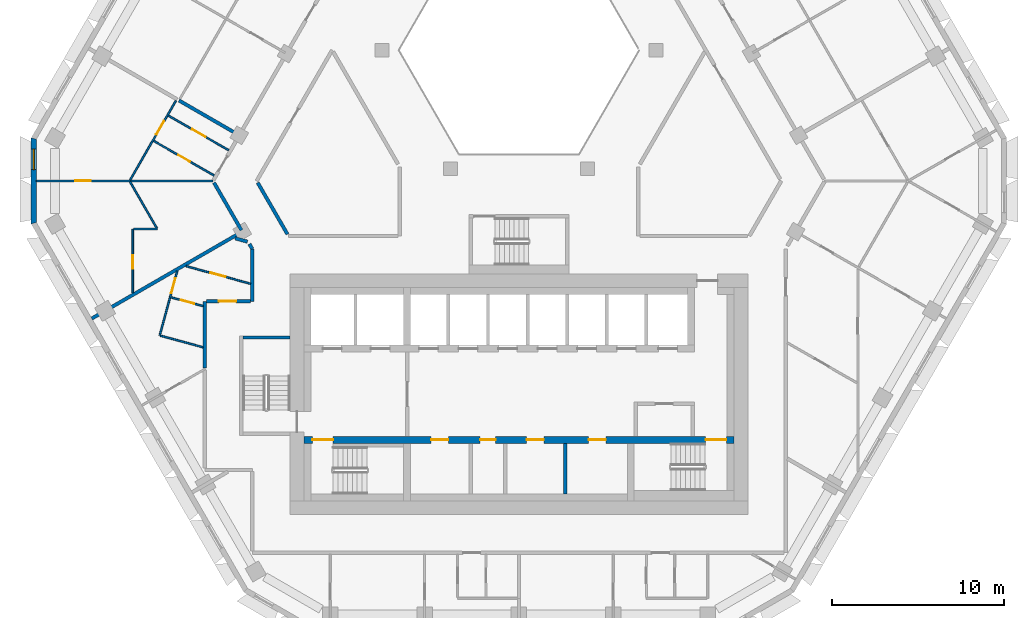
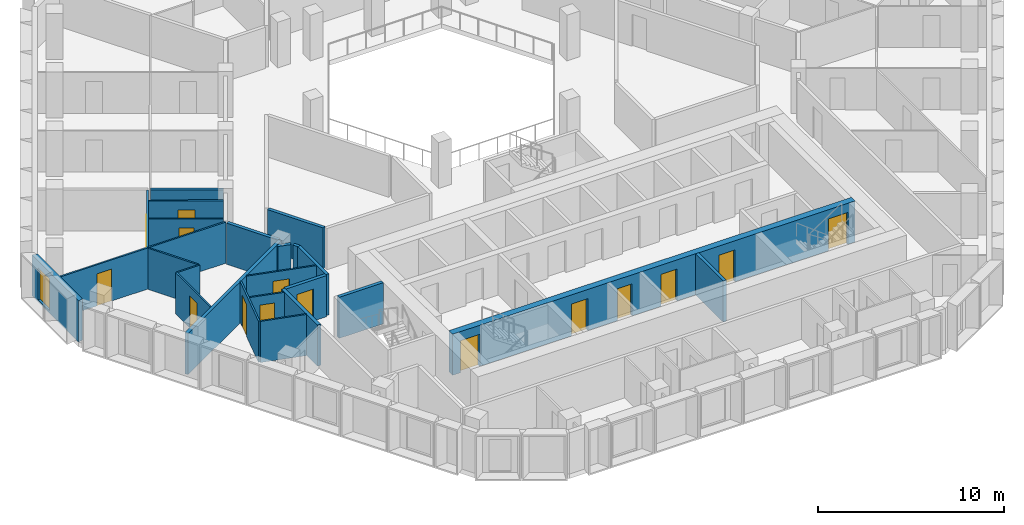
# One storey, part 4 of 15: 24 walls, 15 doors, 1 window, 16 openings.
"""IFC4 building model written with IfcOpenShell, lengths in metres."""

from ifc_helpers import new_model, si_unit, direction, frame, frame_2d, origin, place, context, subcontext, project, spatial, polyline, rectangle, outline, extrude, material, layer, layer_set, type_object, element, fill, save


model = new_model("IFC4")

# Units and contexts
model_context = context("Model", 3, precision=1e-05, world=origin(), true_north=direction((0.0, 1.0)))
body_context = subcontext(model_context, "Body", "Model", "MODEL_VIEW")
ifc_project = project(units=[si_unit("LENGTHUNIT", "METRE"), si_unit("AREAUNIT", "SQUARE_METRE"), si_unit("VOLUMEUNIT", "CUBIC_METRE"), si_unit("PLANEANGLEUNIT", "RADIAN"), si_unit("MASSUNIT", "GRAM", prefix="KILO")], contexts=[model_context])

# Site, building, storey
site_placement = place(None, origin())
site = spatial("IfcSite", under=ifc_project, at=site_placement, CompositionType="ELEMENT")
building_placement = place(site_placement, origin())
building = spatial("IfcBuilding", under=site, at=building_placement, Name="Beryl Residences", CompositionType="ELEMENT")
storey_placement = place(building_placement, frame((0.0, 0.0, 129.60009765625)))
storey = spatial("IfcBuildingStorey", under=building, at=storey_placement, Name="L39", CompositionType="ELEMENT", Elevation=129.60009765625)

# Wall, opening, window
ifc_material_1 = material(Name="Composite metal panel with mineral wool insulation")
ifc_layer_1 = layer(ifc_material_1, 0.300048828125)
ifc_layer_set_1 = layer_set([ifc_layer_1], Name="ES1 pale metal composite panel wall 300 mm")
wall_type_1 = type_object("IfcWallType", Name="ES1 pale metal composite panel wall 300 mm", PredefinedType="SOLIDWALL", material=ifc_layer_set_1)
wall_1_placement = place(storey_placement, frame((-28.197998046875, 2.89990234375, 0.0), z_axis=(0.0, 0.0, 1.0), x_axis=(0.0, -1.0, 0.0)))
wall_1 = element("IfcWall", 1, at=wall_1_placement, inside=storey, type_object=wall_type_1, Name="ES1 external wall L39 NW-SW", PredefinedType="SOLIDWALL", context=body_context, shape_type="SweptSolid", body=[
    extrude(outline(polyline([(0.0, -0.14990234375), (5.0, -0.14990234375), (4.919677734375, 0.14990234375), (0.080322265625, 0.14990234375), (0.0, -0.14990234375)])), origin(), (0.0, 0.0, 1.0), 2.699951171875),
])
opening_1_placement = place(wall_1_placement, frame((0.64990234375, 0.0, 0.14990234375)))
opening_1 = element("IfcOpeningElement", 2, at=opening_1_placement, cuts=wall_1, Name="Opening W2", PredefinedType="OPENING", context=body_context, shape_type="SweptSolid", body=[
    extrude(rectangle(XDim=1.199951171875, YDim=2.10009765625, at=frame_2d((0.60009765625, 1.050048828125))), frame((0.0, 0.159912109375, 0.0), z_axis=(0.0, -1.0, 0.0), x_axis=(1.0, 0.0, 0.0)), (0.0, 0.0, 1.0), 0.320068359375),
])
ifc_material_2 = material(Name="Aluminium and clear glass", Category="aluminium")
window_type = type_object("IfcWindowType", Name="W2 chamfer window 1200 x 2100 mm", PartitioningType="SINGLE_PANEL", PredefinedType="WINDOW", material=ifc_material_2)
window_placement = place(opening_1_placement, origin())
window = element("IfcWindow", 3, at=window_placement, inside=storey, type_object=window_type, Name="W2 window L39 NW-SW 1", OverallHeight=2.10009765625, OverallWidth=1.199951171875, PartitioningType="SINGLE_PANEL", PredefinedType="WINDOW", context=body_context, shape_type="SweptSolid", body=[
    extrude(rectangle(XDim=1.199951171875, YDim=2.10009765625, at=frame_2d((0.60009765625, 1.050048828125))), frame((0.0, 0.030029296875, 0.0), z_axis=(0.0, -1.0, 0.0), x_axis=(1.0, 0.0, 0.0)), (0.0, 0.0, 1.0), 0.06005859375),
])
fill(opening_1, window)

# Wall
ifc_material_3 = material(Name="Gypsum board partition on steel studs", Category="steel")
ifc_layer_2 = layer(ifc_material_3, 0.10009765625)
ifc_layer_set_2 = layer_set([ifc_layer_2], Name="PT1 partition 100 mm gypsum board on steel studs")
wall_type_2 = type_object("IfcWallType", Name="PT1 partition 100 mm gypsum board on steel studs", PredefinedType="PARTITIONING", material=ifc_layer_set_2)
wall_2_placement = place(storey_placement, frame((-22.60302734375, 0.34912109375, 0.0), z_axis=(0.0, 0.0, 1.0), x_axis=(0.499930403552, -0.866065581584, 0.0)))
element("IfcWall", 4, at=wall_2_placement, inside=storey, type_object=wall_type_2, Name="Wall PT1 L39 001", PredefinedType="PARTITIONING", context=body_context, shape_type="SweptSolid", body=[
    extrude(rectangle(XDim=3.11669921875, YDim=0.10009765625, at=frame_2d((1.558349609375, 0.0))), origin(), (0.0, 0.0, 1.0), 2.699951171875),
])

# Wall, opening, door
wall_3_placement = place(storey_placement, frame((-19.35107421875, -4.552978515625, 0.0), z_axis=(0.0, 0.0, 1.0), x_axis=(0.964766719363, -0.263106779102, 0.0)))
wall_3 = element("IfcWall", 5, at=wall_3_placement, inside=storey, type_object=wall_type_2, Name="Wall PT1 L39 009", PredefinedType="PARTITIONING", context=body_context, shape_type="SweptSolid", body=[
    extrude(rectangle(XDim=3.887939453125, YDim=0.10009765625, at=frame_2d((1.94384765625, 0.0))), origin(), (0.0, 0.0, 1.0), 2.699951171875),
])
opening_2_placement = place(wall_3_placement, frame((1.47509765625, 0.0, 0.0)))
opening_2 = element("IfcOpeningElement", 6, at=opening_2_placement, cuts=wall_3, Name="Opening D1250", PredefinedType="OPENING", context=body_context, shape_type="SweptSolid", body=[
    extrude(rectangle(XDim=0.89990234375, YDim=2.10009765625, at=frame_2d((0.449951171875, 1.050048828125))), frame((0.0, 0.06005859375, 0.0), z_axis=(0.0, -1.0, 0.0), x_axis=(1.0, 0.0, 0.0)), (0.0, 0.0, 1.0), 0.1201171875),
])
ifc_material_4 = material(Name="Timber door leaf", Category="wood")
door_type_1 = type_object("IfcDoorType", Name="D2 room door 900 x 2100 mm", OperationType="SINGLE_SWING_LEFT", PredefinedType="DOOR", material=ifc_material_4)
door_1_placement = place(opening_2_placement, origin())
door_1 = element("IfcDoor", 7, at=door_1_placement, inside=storey, type_object=door_type_1, Name="Door D1250 L39 001", OperationType="SINGLE_SWING_RIGHT", OverallHeight=2.10009765625, OverallWidth=0.89990234375, PredefinedType="DOOR", context=body_context, shape_type="SweptSolid", body=[
    extrude(rectangle(XDim=0.89990234375, YDim=2.10009765625, at=frame_2d((0.449951171875, 1.050048828125))), frame((0.0, 0.02490234375, 0.0), z_axis=(0.0, -1.0, 0.0), x_axis=(1.0, 0.0, 0.0)), (0.0, 0.0, 1.0), 0.050048828125),
])
fill(opening_2, door_1)

wall_4_placement = place(storey_placement, frame((-20.221923828125, -6.367919921875, 0.0), z_axis=(0.0, 0.0, 1.0), x_axis=(0.964827681618, -0.262883139024, 0.0)))
wall_4 = element("IfcWall", 8, at=wall_4_placement, inside=storey, type_object=wall_type_2, Name="Wall PT1 L39 010", PredefinedType="PARTITIONING", context=body_context, shape_type="SweptSolid", body=[
    extrude(rectangle(XDim=1.93994140625, YDim=0.10009765625, at=frame_2d((0.969970703125, 0.0))), origin(), (0.0, 0.0, 1.0), 2.699951171875),
])
opening_3_placement = place(wall_4_placement, frame((0.596923828125, 0.0, 0.0)))
opening_3 = element("IfcOpeningElement", 9, at=opening_3_placement, cuts=wall_4, Name="Opening D1251", PredefinedType="OPENING", context=body_context, shape_type="SweptSolid", body=[
    extrude(rectangle(XDim=0.800048828125, YDim=2.10009765625, at=frame_2d((0.39990234375, 1.050048828125))), frame((0.0, 0.06005859375, 0.0), z_axis=(0.0, -1.0, 0.0), x_axis=(1.0, 0.0, 0.0)), (0.0, 0.0, 1.0), 0.1201171875),
])
ifc_material_5 = material(Name="Timber door leaf", Category="wood")
door_type_2 = type_object("IfcDoorType", Name="D3 bathroom door 800 x 2100 mm", OperationType="SINGLE_SWING_LEFT", PredefinedType="DOOR", material=ifc_material_5)
door_2_placement = place(opening_3_placement, origin())
door_2 = element("IfcDoor", 10, at=door_2_placement, inside=storey, type_object=door_type_2, Name="Door D1251 L39 001", OperationType="SINGLE_SWING_LEFT", OverallHeight=2.10009765625, OverallWidth=0.800048828125, PredefinedType="DOOR", context=body_context, shape_type="SweptSolid", body=[
    extrude(rectangle(XDim=0.800048828125, YDim=2.10009765625, at=frame_2d((0.39990234375, 1.050048828125))), frame((0.0, 0.02490234375, 0.0), z_axis=(0.0, -1.0, 0.0), x_axis=(1.0, 0.0, 0.0)), (0.0, 0.0, 1.0), 0.050048828125),
])
fill(opening_3, door_2)

# Wall
wall_5_placement = place(storey_placement, frame((-20.830078125, -8.596923828125, 0.0), z_axis=(0.0, 0.0, 1.0), x_axis=(0.964796691053, -0.262996853468, 0.0)))
element("IfcWall", 11, at=wall_5_placement, inside=storey, type_object=wall_type_2, Name="Wall PT1 L39 011", PredefinedType="PARTITIONING", context=body_context, shape_type="SweptSolid", body=[
    extrude(rectangle(XDim=2.570556640625, YDim=0.10009765625, at=frame_2d((1.28515625, 0.0))), origin(), (0.0, 0.0, 1.0), 2.699951171875),
])

# Wall, opening, door
wall_6_placement = place(storey_placement, frame((-20.381103515625, 4.197998046875, 0.0), z_axis=(0.0, 0.0, 1.0), x_axis=(0.867459321792, -0.497508115549, 0.0)))
wall_6 = element("IfcWall", 12, at=wall_6_placement, inside=storey, type_object=wall_type_2, Name="Wall PT1 L39 012", PredefinedType="PARTITIONING", context=body_context, shape_type="SweptSolid", body=[
    extrude(rectangle(XDim=4.050048828125, YDim=0.10009765625, at=frame_2d((2.02490234375, 0.0))), origin(), (0.0, 0.0, 1.0), 2.699951171875),
])
opening_4_placement = place(wall_6_placement, frame((1.60009765625, 0.0, 0.0)))
opening_4 = element("IfcOpeningElement", 13, at=opening_4_placement, cuts=wall_6, Name="Opening D1244", PredefinedType="OPENING", context=body_context, shape_type="SweptSolid", body=[
    extrude(rectangle(XDim=0.89990234375, YDim=2.10009765625, at=frame_2d((0.449951171875, 1.050048828125))), frame((0.0, 0.06005859375, 0.0), z_axis=(0.0, -1.0, 0.0), x_axis=(1.0, 0.0, 0.0)), (0.0, 0.0, 1.0), 0.1201171875),
])
door_3_placement = place(opening_4_placement, origin())
door_3 = element("IfcDoor", 14, at=door_3_placement, inside=storey, type_object=door_type_1, Name="Door D1244 L39 001", OperationType="SINGLE_SWING_RIGHT", OverallHeight=2.10009765625, OverallWidth=0.89990234375, PredefinedType="DOOR", context=body_context, shape_type="SweptSolid", body=[
    extrude(rectangle(XDim=0.89990234375, YDim=2.10009765625, at=frame_2d((0.449951171875, 1.050048828125))), frame((0.0, 0.02490234375, 0.0), z_axis=(0.0, -1.0, 0.0), x_axis=(1.0, 0.0, 0.0)), (0.0, 0.0, 1.0), 0.050048828125),
])
fill(opening_4, door_3)

wall_7_placement = place(storey_placement, frame((-21.23095703125, 2.72607421875, 0.0), z_axis=(0.0, 0.0, 1.0), x_axis=(0.867314299312, -0.497760892607, 0.0)))
wall_7 = element("IfcWall", 15, at=wall_7_placement, inside=storey, type_object=wall_type_2, Name="Wall PT1 L39 013", PredefinedType="PARTITIONING", context=body_context, shape_type="SweptSolid", body=[
    extrude(rectangle(XDim=4.05029296875, YDim=0.10009765625, at=frame_2d((2.025146484375, 0.0))), origin(), (0.0, 0.0, 1.0), 2.699951171875),
])
opening_5_placement = place(wall_7_placement, frame((1.64990234375, 0.0, 0.0)))
opening_5 = element("IfcOpeningElement", 16, at=opening_5_placement, cuts=wall_7, Name="Opening D1245", PredefinedType="OPENING", context=body_context, shape_type="SweptSolid", body=[
    extrude(rectangle(XDim=0.800048828125, YDim=2.10009765625, at=frame_2d((0.39990234375, 1.050048828125))), frame((0.0, 0.06005859375, 0.0), z_axis=(0.0, -1.0, 0.0), x_axis=(1.0, 0.0, 0.0)), (0.0, 0.0, 1.0), 0.1201171875),
])
door_4_placement = place(opening_5_placement, origin())
door_4 = element("IfcDoor", 17, at=door_4_placement, inside=storey, type_object=door_type_2, Name="Door D1245 L39 001", OperationType="SINGLE_SWING_LEFT", OverallHeight=2.10009765625, OverallWidth=0.800048828125, PredefinedType="DOOR", context=body_context, shape_type="SweptSolid", body=[
    extrude(rectangle(XDim=0.800048828125, YDim=2.10009765625, at=frame_2d((0.39990234375, 1.050048828125))), frame((0.0, 0.02490234375, 0.0), z_axis=(0.0, -1.0, 0.0), x_axis=(1.0, 0.0, 0.0)), (0.0, 0.0, 1.0), 0.050048828125),
])
fill(opening_5, door_4)

# Wall
wall_8_placement = place(storey_placement, frame((-22.39990234375, -2.39990234375, 0.0), z_axis=(0.0, 0.0, 1.0), x_axis=(1.0, 0.0, 0.0)))
element("IfcWall", 18, at=wall_8_placement, inside=storey, type_object=wall_type_2, Name="Wall PT1 L39 022", PredefinedType="PARTITIONING", context=body_context, shape_type="SweptSolid", body=[
    extrude(rectangle(XDim=1.3837890625, YDim=0.10009765625, at=frame_2d((0.69189453125, 0.0))), origin(), (0.0, 0.0, 1.0), 2.699951171875),
])

# Wall, opening, door
wall_9_placement = place(storey_placement, frame((-28.048095703125, 0.39892578125, 0.0), z_axis=(0.0, 0.0, 1.0), x_axis=(1.0, 0.0, 0.0)))
wall_9 = element("IfcWall", 19, at=wall_9_placement, inside=storey, type_object=wall_type_2, Name="Wall PT1 L39 023", PredefinedType="PARTITIONING", context=body_context, shape_type="SweptSolid", body=[
    extrude(rectangle(XDim=10.26611328125, YDim=0.10009765625, at=frame_2d((5.133056640625, 0.0))), origin(), (0.0, 0.0, 1.0), 2.699951171875),
])
opening_6_placement = place(wall_9_placement, frame((2.258056640625, 0.0, 0.0)))
opening_6 = element("IfcOpeningElement", 20, at=opening_6_placement, cuts=wall_9, Name="Opening D1247", PredefinedType="OPENING", context=body_context, shape_type="SweptSolid", body=[
    extrude(rectangle(XDim=0.89990234375, YDim=2.10009765625, at=frame_2d((0.449951171875, 1.050048828125))), frame((0.0, 0.06005859375, 0.0), z_axis=(0.0, -1.0, 0.0), x_axis=(1.0, 0.0, 0.0)), (0.0, 0.0, 1.0), 0.1201171875),
])
door_5_placement = place(opening_6_placement, origin())
door_5 = element("IfcDoor", 21, at=door_5_placement, inside=storey, type_object=door_type_1, Name="Door D1247 L39 001", OperationType="SINGLE_SWING_LEFT", OverallHeight=2.10009765625, OverallWidth=0.89990234375, PredefinedType="DOOR", context=body_context, shape_type="SweptSolid", body=[
    extrude(rectangle(XDim=0.89990234375, YDim=2.10009765625, at=frame_2d((0.449951171875, 1.050048828125))), frame((0.0, 0.02490234375, 0.0), z_axis=(0.0, -1.0, 0.0), x_axis=(1.0, 0.0, 0.0)), (0.0, 0.0, 1.0), 0.050048828125),
])
fill(opening_6, door_5)

wall_10_placement = place(storey_placement, frame((-22.60302734375, 0.448974609375, 0.0), z_axis=(0.0, 0.0, 1.0), x_axis=(0.500022588228, 0.866012362072, 0.0)))
wall_10 = element("IfcWall", 22, at=wall_10_placement, inside=storey, type_object=wall_type_2, Name="Wall PT1 L39 032", PredefinedType="PARTITIONING", context=body_context, shape_type="SweptSolid", body=[
    extrude(rectangle(XDim=5.327880859375, YDim=0.10009765625, at=frame_2d((2.6640625, 0.0))), origin(), (0.0, 0.0, 1.0), 2.699951171875),
])
opening_7_placement = place(wall_10_placement, frame((3.05810546875, 0.0, 0.0)))
opening_7 = element("IfcOpeningElement", 23, at=opening_7_placement, cuts=wall_10, Name="Opening D1246", PredefinedType="OPENING", context=body_context, shape_type="SweptSolid", body=[
    extrude(rectangle(XDim=0.89990234375, YDim=2.10009765625, at=frame_2d((0.449951171875, 1.050048828125))), frame((0.0, 0.06005859375, 0.0), z_axis=(0.0, -1.0, 0.0), x_axis=(1.0, 0.0, 0.0)), (0.0, 0.0, 1.0), 0.1201171875),
])
door_6_placement = place(opening_7_placement, origin())
door_6 = element("IfcDoor", 24, at=door_6_placement, inside=storey, type_object=door_type_1, Name="Door D1246 L39 001", OperationType="SINGLE_SWING_RIGHT", OverallHeight=2.10009765625, OverallWidth=0.89990234375, PredefinedType="DOOR", context=body_context, shape_type="SweptSolid", body=[
    extrude(rectangle(XDim=0.89990234375, YDim=2.10009765625, at=frame_2d((0.449951171875, 1.050048828125))), frame((0.0, 0.02490234375, 0.0), z_axis=(0.0, -1.0, 0.0), x_axis=(1.0, 0.0, 0.0)), (0.0, 0.0, 1.0), 0.050048828125),
])
fill(opening_7, door_6)

wall_11_placement = place(storey_placement, frame((-20.8779296875, -8.5830078125, 0.0), z_axis=(0.0, 0.0, 1.0), x_axis=(0.263144077993, 0.964756546605, 0.0)))
wall_11 = element("IfcWall", 25, at=wall_11_placement, inside=storey, type_object=wall_type_2, Name="Wall PT1 L39 035", PredefinedType="PARTITIONING", context=body_context, shape_type="SweptSolid", body=[
    extrude(rectangle(XDim=3.87255859375, YDim=0.10009765625, at=frame_2d((1.936279296875, 0.0))), origin(), (0.0, 0.0, 1.0), 2.699951171875),
])
opening_8_placement = place(wall_11_placement, frame((2.552001953125, 0.0, 0.0)))
opening_8 = element("IfcOpeningElement", 26, at=opening_8_placement, cuts=wall_11, Name="Opening D1252", PredefinedType="OPENING", context=body_context, shape_type="SweptSolid", body=[
    extrude(rectangle(XDim=0.89990234375, YDim=2.10009765625, at=frame_2d((0.449951171875, 1.050048828125))), frame((0.0, 0.06005859375, 0.0), z_axis=(0.0, -1.0, 0.0), x_axis=(1.0, 0.0, 0.0)), (0.0, 0.0, 1.0), 0.1201171875),
])
door_7_placement = place(opening_8_placement, origin())
door_7 = element("IfcDoor", 27, at=door_7_placement, inside=storey, type_object=door_type_1, Name="Door D1252 L39 001", OperationType="SINGLE_SWING_RIGHT", OverallHeight=2.10009765625, OverallWidth=0.89990234375, PredefinedType="DOOR", context=body_context, shape_type="SweptSolid", body=[
    extrude(rectangle(XDim=0.89990234375, YDim=2.10009765625, at=frame_2d((0.449951171875, 1.050048828125))), frame((0.0, 0.02490234375, 0.0), z_axis=(0.0, -1.0, 0.0), x_axis=(1.0, 0.0, 0.0)), (0.0, 0.0, 1.0), 0.050048828125),
])
fill(opening_8, door_7)

wall_12_placement = place(storey_placement, frame((-22.449951171875, -6.112060546875, 0.0), z_axis=(0.0, 0.0, 1.0), x_axis=(0.0, 1.0, 0.0)))
wall_12 = element("IfcWall", 28, at=wall_12_placement, inside=storey, type_object=wall_type_2, Name="Wall PT1 L39 048", PredefinedType="PARTITIONING", context=body_context, shape_type="SweptSolid", body=[
    extrude(rectangle(XDim=3.712158203125, YDim=0.10009765625, at=frame_2d((1.85595703125, 0.0))), origin(), (0.0, 0.0, 1.0), 2.699951171875),
])
opening_9_placement = place(wall_12_placement, frame((1.39794921875, 0.0, 0.0)))
opening_9 = element("IfcOpeningElement", 29, at=opening_9_placement, cuts=wall_12, Name="Opening D1248", PredefinedType="OPENING", context=body_context, shape_type="SweptSolid", body=[
    extrude(rectangle(XDim=0.800048828125, YDim=2.10009765625, at=frame_2d((0.39990234375, 1.050048828125))), frame((0.0, 0.06005859375, 0.0), z_axis=(0.0, -1.0, 0.0), x_axis=(1.0, 0.0, 0.0)), (0.0, 0.0, 1.0), 0.1201171875),
])
door_8_placement = place(opening_9_placement, origin())
door_8 = element("IfcDoor", 30, at=door_8_placement, inside=storey, type_object=door_type_2, Name="Door D1248 L39 001", OperationType="SINGLE_SWING_RIGHT", OverallHeight=2.10009765625, OverallWidth=0.800048828125, PredefinedType="DOOR", context=body_context, shape_type="SweptSolid", body=[
    extrude(rectangle(XDim=0.800048828125, YDim=2.10009765625, at=frame_2d((0.39990234375, 1.050048828125))), frame((0.0, 0.02490234375, 0.0), z_axis=(0.0, -1.0, 0.0), x_axis=(1.0, 0.0, 0.0)), (0.0, 0.0, 1.0), 0.050048828125),
])
fill(opening_9, door_8)

# Walls
ifc_material_6 = material(Name="Acoustic double stud gypsum board wall")
ifc_layer_3 = layer(ifc_material_6, 0.199951171875)
ifc_layer_set_3 = layer_set([ifc_layer_3], Name="PT3 party wall 200 mm acoustic double stud")
wall_type_3 = type_object("IfcWallType", Name="PT3 party wall 200 mm acoustic double stud", PredefinedType="PARTITIONING", material=ifc_layer_set_3)
wall_13_placement = place(storey_placement, frame((-16.492919921875, -2.93798828125, 0.0), z_axis=(0.0, 0.0, 1.0), x_axis=(0.964816958114, -0.262922493019, 0.0)))
element("IfcWall", 31, at=wall_13_placement, inside=storey, type_object=wall_type_3, Name="Wall PT3 L39 004", PredefinedType="PARTITIONING", context=body_context, shape_type="SweptSolid", body=[
    extrude(rectangle(XDim=0.741943359375, YDim=0.199951171875, at=frame_2d((0.37109375, 0.0))), origin(), (0.0, 0.0, 1.0), 2.699951171875),
])
wall_14_placement = place(storey_placement, frame((-19.756103515625, 5.072998046875, 0.0), z_axis=(0.0, 0.0, 1.0), x_axis=(0.866014535457, -0.500018824023, 0.0)))
element("IfcWall", 32, at=wall_14_placement, inside=storey, type_object=wall_type_3, Name="Wall PT3 L39 006", PredefinedType="PARTITIONING", context=body_context, shape_type="SweptSolid", body=[
    extrude(rectangle(XDim=3.945556640625, YDim=0.199951171875, at=frame_2d((1.97265625, 0.0))), origin(), (0.0, 0.0, 1.0), 2.699951171875),
])
wall_15_placement = place(storey_placement, frame((-24.825927734375, -7.59912109375, 0.0), z_axis=(0.0, 0.0, 1.0), x_axis=(0.86599621094, 0.500050560081, 0.0)))
element("IfcWall", 33, at=wall_15_placement, inside=storey, type_object=wall_type_3, Name="Wall PT3 L39 013", PredefinedType="PARTITIONING", context=body_context, shape_type="SweptSolid", body=[
    extrude(rectangle(XDim=10.0693359375, YDim=0.199951171875, at=frame_2d((5.03466796875, 0.0))), origin(), (0.0, 0.0, 1.0), 2.699951171875),
])
ifc_material_7 = material(Name="Double stud gypsum board wall")
ifc_layer_4 = layer(ifc_material_7, 0.199951171875)
ifc_layer_set_4 = layer_set([ifc_layer_4], Name="PT4 corridor wall 200 mm double stud")
wall_type_4 = type_object("IfcWallType", Name="PT4 corridor wall 200 mm double stud", PredefinedType="PARTITIONING", material=ifc_layer_set_4)
wall_16_placement = place(storey_placement, frame((-15.18408203125, 0.299072265625, 0.0), z_axis=(0.0, 0.0, 1.0), x_axis=(0.500149577091, -0.865939028186, 0.0)))
element("IfcWall", 34, at=wall_16_placement, inside=storey, type_object=wall_type_4, Name="Wall PT4 L39 002", PredefinedType="PARTITIONING", context=body_context, shape_type="SweptSolid", body=[
    extrude(rectangle(XDim=3.46337890625, YDim=0.199951171875, at=frame_2d((1.731689453125, 0.0))), origin(), (0.0, 0.0, 1.0), 2.699951171875),
])
wall_17_placement = place(storey_placement, frame((-17.72412109375, 0.299072265625, 0.0), z_axis=(0.0, 0.0, 1.0), x_axis=(0.499910220442, -0.866077231832, 0.0)))
element("IfcWall", 35, at=wall_17_placement, inside=storey, type_object=wall_type_4, Name="Wall PT4 L39 003", PredefinedType="PARTITIONING", context=body_context, shape_type="SweptSolid", body=[
    extrude(rectangle(XDim=3.18896484375, YDim=0.199951171875, at=frame_2d((1.594482421875, 0.0))), origin(), (0.0, 0.0, 1.0), 2.699951171875),
])
wall_18_placement = place(storey_placement, frame((-15.6650390625, -3.26708984375, 0.0), z_axis=(0.0, 0.0, 1.0), x_axis=(0.499957196903, -0.866050114754, 0.0)))
element("IfcWall", 36, at=wall_18_placement, inside=storey, type_object=wall_type_4, Name="Wall PT4 L39 004", PredefinedType="PARTITIONING", context=body_context, shape_type="SweptSolid", body=[
    extrude(rectangle(XDim=0.330078125, YDim=0.199951171875, at=frame_2d((0.1650390625, 0.0))), origin(), (0.0, 0.0, 1.0), 2.699951171875),
])

# Wall, opening, door
wall_19_placement = place(storey_placement, frame((-18.14990234375, -6.60009765625, 0.0), z_axis=(0.0, 0.0, 1.0), x_axis=(1.0, 0.0, 0.0)))
wall_19 = element("IfcWall", 37, at=wall_19_placement, inside=storey, type_object=wall_type_4, Name="Wall PT4 L39 010", PredefinedType="PARTITIONING", context=body_context, shape_type="SweptSolid", body=[
    extrude(rectangle(XDim=2.5498046875, YDim=0.199951171875, at=frame_2d((1.27490234375, 0.0))), origin(), (0.0, 0.0, 1.0), 2.699951171875),
])
opening_10_placement = place(wall_19_placement, frame((0.715087890625, 0.0, 0.0)))
opening_10 = element("IfcOpeningElement", 38, at=opening_10_placement, cuts=wall_19, Name="Opening D1249", PredefinedType="OPENING", context=body_context, shape_type="SweptSolid", body=[
    extrude(rectangle(XDim=1.0, YDim=2.10009765625, at=frame_2d((0.5, 1.050048828125))), frame((0.0, 0.10986328125, 0.0), z_axis=(0.0, -1.0, 0.0), x_axis=(1.0, 0.0, 0.0)), (0.0, 0.0, 1.0), 0.219970703125),
])
ifc_material_8 = material(Name="Timber door leaf", Category="wood")
door_type_3 = type_object("IfcDoorType", Name="D1 flat entrance door 1000 x 2100 mm", OperationType="SINGLE_SWING_LEFT", PredefinedType="DOOR", material=ifc_material_8)
door_9_placement = place(opening_10_placement, origin())
door_9 = element("IfcDoor", 39, at=door_9_placement, inside=storey, type_object=door_type_3, Name="Door D1249 L39 001", OperationType="SINGLE_SWING_LEFT", OverallHeight=2.10009765625, OverallWidth=1.0, PredefinedType="DOOR", context=body_context, shape_type="SweptSolid", body=[
    extrude(rectangle(XDim=1.0, YDim=2.10009765625, at=frame_2d((0.5, 1.050048828125))), frame((0.0, 0.02490234375, 0.0), z_axis=(0.0, -1.0, 0.0), x_axis=(1.0, 0.0, 0.0)), (0.0, 0.0, 1.0), 0.050048828125),
])
fill(opening_10, door_9)

# Walls
wall_20_placement = place(storey_placement, frame((-15.5, -6.60009765625, 0.0), z_axis=(0.0, 0.0, 1.0), x_axis=(0.0, 1.0, 0.0)))
element("IfcWall", 40, at=wall_20_placement, inside=storey, type_object=wall_type_4, Name="Wall PT4 L39 027", PredefinedType="PARTITIONING", context=body_context, shape_type="SweptSolid", body=[
    extrude(rectangle(XDim=3.047119140625, YDim=0.199951171875, at=frame_2d((1.5234375, 0.0))), origin(), (0.0, 0.0, 1.0), 2.699951171875),
])
wall_21_placement = place(storey_placement, frame((-18.25, -10.47802734375, 0.0), z_axis=(0.0, 0.0, 1.0), x_axis=(0.0, 1.0, 0.0)))
element("IfcWall", 41, at=wall_21_placement, inside=storey, type_object=wall_type_4, Name="Wall PT4 L39 028", PredefinedType="PARTITIONING", context=body_context, shape_type="SweptSolid", body=[
    extrude(rectangle(XDim=3.8779296875, YDim=0.199951171875, at=frame_2d((1.93896484375, 0.0))), origin(), (0.0, 0.0, 1.0), 2.699951171875),
])
ifc_material_9 = material(Name="Concrete C40/50", Category="concrete")
ifc_layer_5 = layer(ifc_material_9, 0.199951171875)
ifc_layer_set_5 = layer_set([ifc_layer_5], Name="PT5 stair enclosure wall 200 mm reinforced concrete C40/50")
wall_type_5 = type_object("IfcWallType", Name="PT5 stair enclosure wall 200 mm reinforced concrete C40/50", PredefinedType="SOLIDWALL", material=ifc_layer_set_5)
wall_22_placement = place(storey_placement, frame((-16.050048828125, -8.699951171875, 0.0), z_axis=(0.0, 0.0, 1.0), x_axis=(1.0, 0.0, 0.0)))
element("IfcWall", 42, at=wall_22_placement, inside=storey, type_object=wall_type_5, Name="Stair wall 03", PredefinedType="SOLIDWALL", context=body_context, shape_type="SweptSolid", body=[
    extrude(rectangle(XDim=2.75, YDim=0.199951171875, at=frame_2d((1.375, 0.0))), origin(), (0.0, 0.0, 1.0), 2.699951171875),
])
ifc_material_10 = material(Name="Concrete masonry", Category="masonry")
ifc_layer_6 = layer(ifc_material_10, 0.199951171875)
ifc_layer_set_6 = layer_set([ifc_layer_6], Name="PT8-200 service room wall 200 mm")
wall_type_6 = type_object("IfcWallType", Name="PT8-200 service room wall 200 mm", PredefinedType="PARTITIONING", material=ifc_layer_set_6)
wall_23_placement = place(storey_placement, frame((2.699951171875, -17.800048828125, 0.0), z_axis=(0.0, 0.0, 1.0), x_axis=(0.0, 1.0, 0.0)))
element("IfcWall", 43, at=wall_23_placement, inside=storey, type_object=wall_type_6, Name="Core room wall 19", PredefinedType="PARTITIONING", context=body_context, shape_type="SweptSolid", body=[
    extrude(rectangle(XDim=2.949951171875, YDim=0.199951171875, at=frame_2d((1.47509765625, 0.0))), origin(), (0.0, 0.0, 1.0), 2.699951171875),
])

# Wall, openings, doors
ifc_material_11 = material(Name="Concrete C60/75", Category="concrete")
ifc_layer_7 = layer(ifc_material_11, 0.39990234375)
ifc_layer_set_7 = layer_set([ifc_layer_7], Name="SW8 core internal wall 400 mm C60/75")
wall_type_7 = type_object("IfcWallType", Name="SW8 core internal wall 400 mm C60/75", PredefinedType="SHEAR", material=ifc_layer_set_7)
wall_24_placement = place(storey_placement, frame((-12.5, -14.64990234375, 0.0), z_axis=(0.0, 0.0, 1.0), x_axis=(1.0, 0.0, 0.0)))
wall_24 = element("IfcWall", 44, at=wall_24_placement, inside=storey, type_object=wall_type_7, Name="Core wall SP1 L39", PredefinedType="SHEAR", context=body_context, shape_type="SweptSolid", body=[
    extrude(rectangle(XDim=25.0, YDim=0.39990234375, at=frame_2d((12.5, 0.0))), origin(), (0.0, 0.0, 1.0), 2.699951171875),
])
opening_11_placement = place(wall_24_placement, frame((1.699951171875, 0.0, 0.0), z_axis=(0.0, 0.0, 1.0), x_axis=(-1.0, 0.0, 0.0)))
opening_11 = element("IfcOpeningElement", 45, at=opening_11_placement, cuts=wall_24, Name="Opening SD-1", PredefinedType="OPENING", context=body_context, shape_type="SweptSolid", body=[
    extrude(rectangle(XDim=1.199951171875, YDim=2.10009765625, at=frame_2d((0.60009765625, 1.050048828125))), frame((0.0, 0.2099609375, 0.0), z_axis=(0.0, -1.0, 0.0), x_axis=(1.0, 0.0, 0.0)), (0.0, 0.0, 1.0), 0.419921875),
])
opening_12_placement = place(wall_24_placement, frame((24.550048828125, 0.0, 0.0), z_axis=(0.0, 0.0, 1.0), x_axis=(-1.0, 0.0, 0.0)))
opening_12 = element("IfcOpeningElement", 46, at=opening_12_placement, cuts=wall_24, Name="Opening SD-3", PredefinedType="OPENING", context=body_context, shape_type="SweptSolid", body=[
    extrude(rectangle(XDim=1.199951171875, YDim=2.10009765625, at=frame_2d((0.60009765625, 1.050048828125))), frame((0.0, 0.2099609375, 0.0), z_axis=(0.0, -1.0, 0.0), x_axis=(1.0, 0.0, 0.0)), (0.0, 0.0, 1.0), 0.419921875),
])
opening_13_placement = place(wall_24_placement, frame((8.39990234375, 0.0, 0.0), z_axis=(0.0, 0.0, 1.0), x_axis=(-1.0, 0.0, 0.0)))
opening_13 = element("IfcOpeningElement", 47, at=opening_13_placement, cuts=wall_24, Name="Opening CD-D-S1", PredefinedType="OPENING", context=body_context, shape_type="SweptSolid", body=[
    extrude(rectangle(XDim=1.0, YDim=2.10009765625, at=frame_2d((0.5, 1.050048828125))), frame((0.0, 0.2099609375, 0.0), z_axis=(0.0, -1.0, 0.0), x_axis=(1.0, 0.0, 0.0)), (0.0, 0.0, 1.0), 0.419921875),
])
opening_14_placement = place(wall_24_placement, frame((11.14990234375, 0.0, 0.0), z_axis=(0.0, 0.0, 1.0), x_axis=(-1.0, 0.0, 0.0)))
opening_14 = element("IfcOpeningElement", 48, at=opening_14_placement, cuts=wall_24, Name="Opening CD-D-S2-900", PredefinedType="OPENING", context=body_context, shape_type="SweptSolid", body=[
    extrude(rectangle(XDim=0.89990234375, YDim=2.10009765625, at=frame_2d((0.449951171875, 1.050048828125))), frame((0.0, 0.2099609375, 0.0), z_axis=(0.0, -1.0, 0.0), x_axis=(1.0, 0.0, 0.0)), (0.0, 0.0, 1.0), 0.419921875),
])
opening_15_placement = place(wall_24_placement, frame((13.949951171875, 0.0, 0.0), z_axis=(0.0, 0.0, 1.0), x_axis=(-1.0, 0.0, 0.0)))
opening_15 = element("IfcOpeningElement", 49, at=opening_15_placement, cuts=wall_24, Name="Opening CD-D-S3", PredefinedType="OPENING", context=body_context, shape_type="SweptSolid", body=[
    extrude(rectangle(XDim=1.0, YDim=2.10009765625, at=frame_2d((0.5, 1.050048828125))), frame((0.0, 0.2099609375, 0.0), z_axis=(0.0, -1.0, 0.0), x_axis=(1.0, 0.0, 0.0)), (0.0, 0.0, 1.0), 0.419921875),
])
opening_16_placement = place(wall_24_placement, frame((17.550048828125, 0.0, 0.0), z_axis=(0.0, 0.0, 1.0), x_axis=(-1.0, 0.0, 0.0)))
opening_16 = element("IfcOpeningElement", 50, at=opening_16_placement, cuts=wall_24, Name="Opening CD-D-S4", PredefinedType="OPENING", context=body_context, shape_type="SweptSolid", body=[
    extrude(rectangle(XDim=1.0, YDim=2.10009765625, at=frame_2d((0.5, 1.050048828125))), frame((0.0, 0.2099609375, 0.0), z_axis=(0.0, -1.0, 0.0), x_axis=(1.0, 0.0, 0.0)), (0.0, 0.0, 1.0), 0.419921875),
])
ifc_material_12 = material(Name="Steel door leaf in steel frame", Category="steel")
door_type_4 = type_object("IfcDoorType", Name="D18 service room door 1000 x 2100 mm", OperationType="SINGLE_SWING_LEFT", PredefinedType="DOOR", material=ifc_material_12)
door_10_placement = place(opening_13_placement, origin())
door_10 = element("IfcDoor", 51, at=door_10_placement, inside=storey, type_object=door_type_4, Name="Door CD-D-S1 L39 001", OperationType="SINGLE_SWING_RIGHT", OverallHeight=2.10009765625, OverallWidth=1.0, PredefinedType="DOOR", context=body_context, shape_type="SweptSolid", body=[
    extrude(rectangle(XDim=1.0, YDim=2.10009765625, at=frame_2d((0.5, 1.050048828125))), frame((0.0, 0.02490234375, 0.0), z_axis=(0.0, -1.0, 0.0), x_axis=(1.0, 0.0, 0.0)), (0.0, 0.0, 1.0), 0.050048828125),
])
fill(opening_13, door_10)
door_11_placement = place(opening_15_placement, origin())
door_11 = element("IfcDoor", 52, at=door_11_placement, inside=storey, type_object=door_type_4, Name="Door CD-D-S3 L39 001", OperationType="SINGLE_SWING_RIGHT", OverallHeight=2.10009765625, OverallWidth=1.0, PredefinedType="DOOR", context=body_context, shape_type="SweptSolid", body=[
    extrude(rectangle(XDim=1.0, YDim=2.10009765625, at=frame_2d((0.5, 1.050048828125))), frame((0.0, 0.02490234375, 0.0), z_axis=(0.0, -1.0, 0.0), x_axis=(1.0, 0.0, 0.0)), (0.0, 0.0, 1.0), 0.050048828125),
])
fill(opening_15, door_11)
door_12_placement = place(opening_16_placement, origin())
door_12 = element("IfcDoor", 53, at=door_12_placement, inside=storey, type_object=door_type_4, Name="Door CD-D-S4 L39 001", OperationType="SINGLE_SWING_LEFT", OverallHeight=2.10009765625, OverallWidth=1.0, PredefinedType="DOOR", context=body_context, shape_type="SweptSolid", body=[
    extrude(rectangle(XDim=1.0, YDim=2.10009765625, at=frame_2d((0.5, 1.050048828125))), frame((0.0, 0.02490234375, 0.0), z_axis=(0.0, -1.0, 0.0), x_axis=(1.0, 0.0, 0.0)), (0.0, 0.0, 1.0), 0.050048828125),
])
fill(opening_16, door_12)
ifc_material_13 = material(Name="Steel door leaf in steel frame", Category="steel")
door_type_5 = type_object("IfcDoorType", Name="D4 stair door 1200 x 2100 mm", OperationType="SINGLE_SWING_LEFT", PredefinedType="DOOR", material=ifc_material_13)
door_13_placement = place(opening_11_placement, origin())
door_13 = element("IfcDoor", 54, at=door_13_placement, inside=storey, type_object=door_type_5, Name="Door SD-1 L39 001", OperationType="SINGLE_SWING_RIGHT", OverallHeight=2.10009765625, OverallWidth=1.199951171875, PredefinedType="DOOR", context=body_context, shape_type="SweptSolid", body=[
    extrude(rectangle(XDim=1.199951171875, YDim=2.10009765625, at=frame_2d((0.60009765625, 1.050048828125))), frame((0.0, 0.02490234375, 0.0), z_axis=(0.0, -1.0, 0.0), x_axis=(1.0, 0.0, 0.0)), (0.0, 0.0, 1.0), 0.050048828125),
])
fill(opening_11, door_13)
door_14_placement = place(opening_12_placement, origin())
door_14 = element("IfcDoor", 55, at=door_14_placement, inside=storey, type_object=door_type_5, Name="Door SD-3 L39 001", OperationType="SINGLE_SWING_RIGHT", OverallHeight=2.10009765625, OverallWidth=1.199951171875, PredefinedType="DOOR", context=body_context, shape_type="SweptSolid", body=[
    extrude(rectangle(XDim=1.199951171875, YDim=2.10009765625, at=frame_2d((0.60009765625, 1.050048828125))), frame((0.0, 0.02490234375, 0.0), z_axis=(0.0, -1.0, 0.0), x_axis=(1.0, 0.0, 0.0)), (0.0, 0.0, 1.0), 0.050048828125),
])
fill(opening_12, door_14)
ifc_material_14 = material(Name="Steel door leaf in steel frame", Category="steel")
door_type_6 = type_object("IfcDoorType", Name="D6 service room door 900 x 2100 mm", OperationType="SINGLE_SWING_LEFT", PredefinedType="DOOR", material=ifc_material_14)
door_15_placement = place(opening_14_placement, origin())
door_15 = element("IfcDoor", 56, at=door_15_placement, inside=storey, type_object=door_type_6, Name="Door CD-D-S2-900 L39 001", OperationType="SINGLE_SWING_LEFT", OverallHeight=2.10009765625, OverallWidth=0.89990234375, PredefinedType="DOOR", context=body_context, shape_type="SweptSolid", body=[
    extrude(rectangle(XDim=0.89990234375, YDim=2.10009765625, at=frame_2d((0.449951171875, 1.050048828125))), frame((0.0, 0.02490234375, 0.0), z_axis=(0.0, -1.0, 0.0), x_axis=(1.0, 0.0, 0.0)), (0.0, 0.0, 1.0), 0.050048828125),
])
fill(opening_14, door_15)

save(model, "model.ifc")
